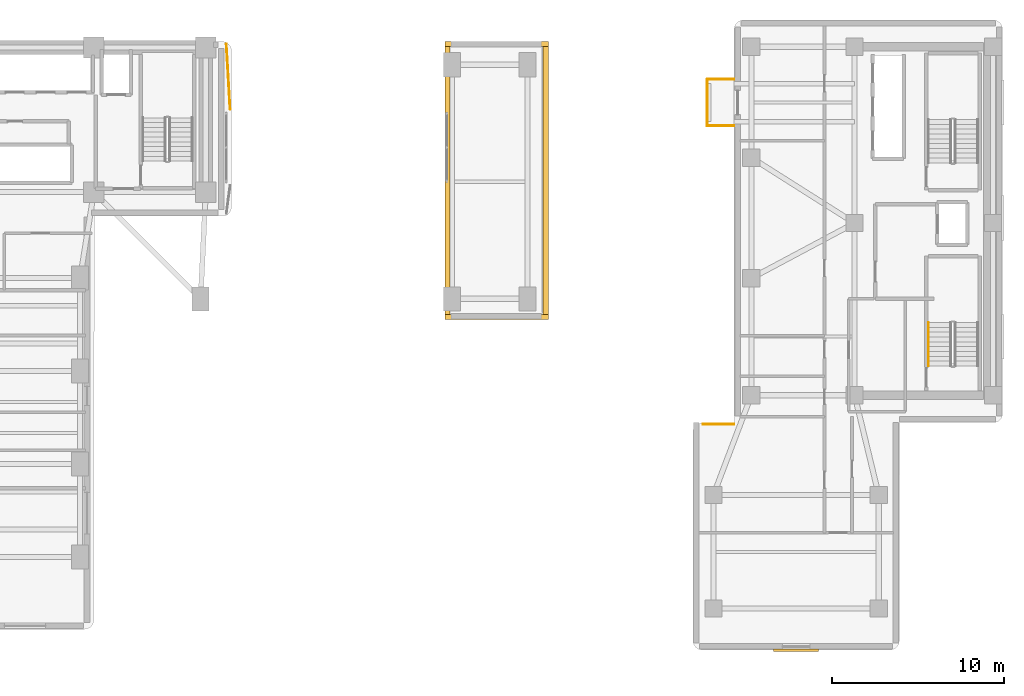
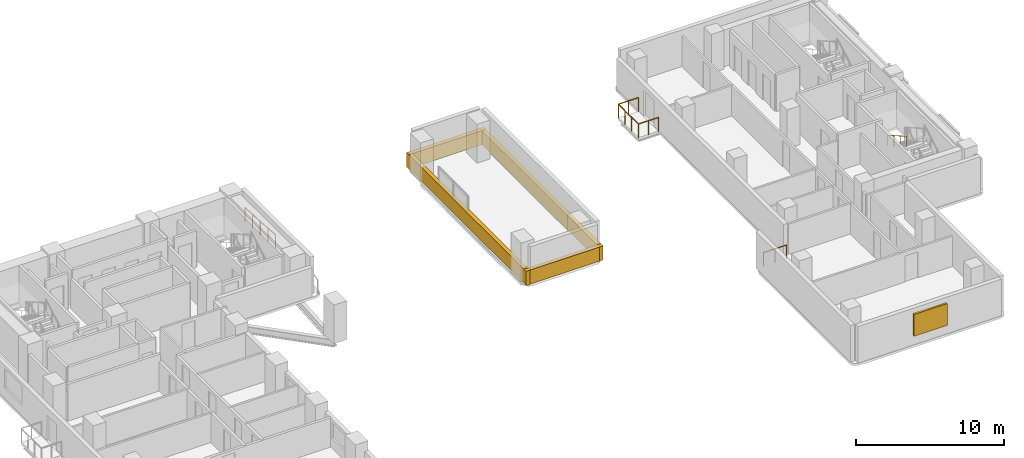
# One storey, part 11 of 12: 6 railings, 4 coverings, 1 shading device.
"""IFC4 building model written with IfcOpenShell, lengths in metres."""

from ifc_helpers import new_model, si_unit, direction, frame, origin, origin_2d, place, context, subcontext, project, spatial, rectangle, circle, extrude, material, layer, layer_set, type_object, element, save


model = new_model("IFC4")

# Units and contexts
model_context = context("Model", 3, precision=1e-05, world=origin(), true_north=direction((0.0, 1.0)))
body_context = subcontext(model_context, "Body", "Model", "MODEL_VIEW")
ifc_project = project(units=[si_unit("LENGTHUNIT", "METRE"), si_unit("AREAUNIT", "SQUARE_METRE"), si_unit("VOLUMEUNIT", "CUBIC_METRE"), si_unit("PLANEANGLEUNIT", "RADIAN"), si_unit("MASSUNIT", "GRAM", prefix="KILO")], contexts=[model_context])

# Site, building, storey
site_placement = place(None, origin())
site = spatial("IfcSite", under=ifc_project, at=site_placement, CompositionType="ELEMENT")
building_placement = place(site_placement, origin())
building = spatial("IfcBuilding", under=site, at=building_placement, Name="Kuzgunbayir Cultural Tower", CompositionType="ELEMENT")
storey_placement = place(building_placement, frame((0.0, 0.0, 30.199951171875)))
storey = spatial("IfcBuildingStorey", under=building, at=storey_placement, Name="L07", CompositionType="ELEMENT", Elevation=30.199951171875)

# Coverings
ifc_material_1 = material(Name="Anatolian Cream Limestone", Category="masonry")
ifc_layer_1 = layer(ifc_material_1, 0.06005859375)
ifc_layer_set_1 = layer_set([ifc_layer_1], Name="Anatolian Cream Limestone")
covering_type = type_object("IfcCoveringType", Name="COV-CLAD-LIMESTONE-6", PredefinedType="CLADDING", material=ifc_layer_set_1)
for number, where, z_axis, x_axis, name in (
    (1, (40.949951171875, 34.469970703125, -0.02001953125), (0.0, 0.0, 1.0), (1.0, 0.0, 0.0), "L07 Portal Cap West Coping Fascia"),
    (2, (46.64990234375, 34.469970703125, -0.02001953125), (0.0, 0.0, 1.0), (1.0, 0.0, 0.0), "L07 Portal Cap East Coping Fascia"),
):
    element("IfcCovering", number, at=place(storey_placement, frame(where, z_axis=z_axis, x_axis=x_axis)), inside=storey, type_object=covering_type, Name=name, PredefinedType="CLADDING", context=body_context, shape_type="SweptSolid", body=[
        extrude(rectangle(XDim=0.300048828125, YDim=16.14990234375, at=origin_2d()), origin(), (0.0, 0.0, 1.0), 1.159912109375),
    ])
for number, where, z_axis, x_axis, name in (
    (3, (43.800048828125, 26.550048828125, -0.02001953125), (0.0, 0.0, 1.0), (1.0, 0.0, 0.0), "L07 Portal Cap South Coping Fascia"),
    (4, (43.800048828125, 42.39990234375, -0.02001953125), (0.0, 0.0, 1.0), (1.0, 0.0, 0.0), "L07 Portal Cap North Coping Fascia"),
):
    element("IfcCovering", number, at=place(storey_placement, frame(where, z_axis=z_axis, x_axis=x_axis)), inside=storey, type_object=covering_type, Name=name, PredefinedType="CLADDING", context=body_context, shape_type="SweptSolid", body=[
        extrude(rectangle(XDim=6.0, YDim=0.300048828125, at=origin_2d()), origin(), (0.0, 0.0, 1.0), 1.159912109375),
    ])

# Railings
ifc_material_2 = material(Name="Laminated Glass and Stainless Steel", Category="steel")
ifc_layer_2 = layer(ifc_material_2, 0.080078125)
ifc_layer_set_2 = layer_set([ifc_layer_2], Name="Laminated Glass and Stainless Steel")
railing_type_1 = type_object("IfcRailingType", Name="RLG-BAL-115", PredefinedType="BALUSTRADE", material=ifc_layer_set_2)
railing_1_placement = place(storey_placement, frame((57.60009765625, 37.64990234375, 0.0)))
element("IfcRailing", 5, at=railing_1_placement, inside=storey, type_object=railing_type_1, Name="L07 Companion Balcony Guard BAL-L07-T2W3 Segment 1", PredefinedType="BALUSTRADE", context=body_context, shape_type="SweptSolid", body=[
    extrude(circle(Radius=0.02392578125, at=origin_2d()), frame((0.0, 0.0, 1.1259765625), z_axis=(-1.0, 0.0, 0.0), x_axis=(0.0, -1.0, 0.0)), (0.0, 0.0, 1.0), 1.56005859375),
    extrude(circle(Radius=0.02099609375, at=origin_2d()), origin(), (0.0, 0.0, 1.0), 1.101806640625),
    extrude(circle(Radius=0.02099609375, at=origin_2d()), frame((-0.780029296875, 0.0, 0.0)), (0.0, 0.0, 1.0), 1.101806640625),
    extrude(circle(Radius=0.02099609375, at=origin_2d()), frame((-1.56005859375, 0.0, 0.0)), (0.0, 0.0, 1.0), 1.101806640625),
])
railing_2_placement = place(storey_placement, frame((56.0400390625, 37.64990234375, 0.0)))
element("IfcRailing", 6, at=railing_2_placement, inside=storey, type_object=railing_type_1, Name="L07 Companion Balcony Guard BAL-L07-T2W3 Segment 2", PredefinedType="BALUSTRADE", context=body_context, shape_type="SweptSolid", body=[
    extrude(circle(Radius=0.02392578125, at=origin_2d()), frame((0.0, 0.0, 1.1259765625), z_axis=(0.0, 1.0, 0.0), x_axis=(-1.0, 0.0, 0.0)), (0.0, 0.0, 1.0), 2.7001953125),
    extrude(circle(Radius=0.02099609375, at=origin_2d()), origin(), (0.0, 0.0, 1.0), 1.101806640625),
    extrude(circle(Radius=0.02099609375, at=origin_2d()), frame((0.0, 0.900146484375, 0.0)), (0.0, 0.0, 1.0), 1.101806640625),
    extrude(circle(Radius=0.02099609375, at=origin_2d()), frame((0.0, 1.800048828125, 0.0)), (0.0, 0.0, 1.0), 1.101806640625),
    extrude(circle(Radius=0.02099609375, at=origin_2d()), frame((0.0, 2.7001953125, 0.0)), (0.0, 0.0, 1.0), 1.101806640625),
])
railing_3_placement = place(storey_placement, frame((56.0400390625, 40.35009765625, 0.0)))
element("IfcRailing", 7, at=railing_3_placement, inside=storey, type_object=railing_type_1, Name="L07 Companion Balcony Guard BAL-L07-T2W3 Segment 3", PredefinedType="BALUSTRADE", context=body_context, shape_type="SweptSolid", body=[
    extrude(circle(Radius=0.02392578125, at=origin_2d()), frame((0.0, 0.0, 1.1259765625), z_axis=(1.0, 0.0, 0.0), x_axis=(0.0, 1.0, 0.0)), (0.0, 0.0, 1.0), 1.56005859375),
    extrude(circle(Radius=0.02099609375, at=origin_2d()), origin(), (0.0, 0.0, 1.0), 1.101806640625),
    extrude(circle(Radius=0.02099609375, at=origin_2d()), frame((0.780029296875, 0.0, 0.0)), (0.0, 0.0, 1.0), 1.101806640625),
    extrude(circle(Radius=0.02099609375, at=origin_2d()), frame((1.56005859375, 0.0, 0.0)), (0.0, 0.0, 1.0), 1.101806640625),
])
railing_4_placement = place(storey_placement, frame((28.10009765625, 42.39990234375, 0.0)))
element("IfcRailing", 8, at=railing_4_placement, inside=storey, type_object=railing_type_1, Name="L07 Perimeter Edge Guard 1", PredefinedType="BALUSTRADE", context=body_context, shape_type="SweptSolid", body=[
    extrude(circle(Radius=0.02392578125, at=origin_2d()), frame((0.0, 0.0, 1.1259765625), z_axis=(0.058098313566, -0.998310866394, 0.0), x_axis=(0.998310866394, 0.058098313566, 0.0)), (0.0, 0.0, 1.0), 3.7861328125),
    extrude(circle(Radius=0.02099609375, at=origin_2d()), origin(), (0.0, 0.0, 1.0), 1.101806640625),
    extrude(circle(Radius=0.02099609375, at=origin_2d()), frame((0.054931640625, -0.94482421875, 0.0)), (0.0, 0.0, 1.0), 1.101806640625),
    extrude(circle(Radius=0.02099609375, at=origin_2d()), frame((0.10986328125, -1.889892578125, 0.0)), (0.0, 0.0, 1.0), 1.101806640625),
    extrude(circle(Radius=0.02099609375, at=origin_2d()), frame((0.1650390625, -2.8349609375, 0.0)), (0.0, 0.0, 1.0), 1.101806640625),
    extrude(circle(Radius=0.02099609375, at=origin_2d()), frame((0.219970703125, -3.77978515625, 0.0)), (0.0, 0.0, 1.0), 1.101806640625),
])
railing_5_placement = place(storey_placement, frame((55.7900390625, 20.320068359375, 0.0)))
element("IfcRailing", 9, at=railing_5_placement, inside=storey, type_object=railing_type_1, Name="L07 Perimeter Edge Guard 3", PredefinedType="BALUSTRADE", context=body_context, shape_type="SweptSolid", body=[
    extrude(circle(Radius=0.02392578125, at=origin_2d()), frame((0.0, 0.0, 1.1259765625), z_axis=(1.0, 0.0, 0.0), x_axis=(0.0, 1.0, 0.0)), (0.0, 0.0, 1.0), 1.81005859375),
    extrude(circle(Radius=0.02099609375, at=origin_2d()), origin(), (0.0, 0.0, 1.0), 1.101806640625),
    extrude(circle(Radius=0.02099609375, at=origin_2d()), frame((0.905029296875, 0.0, 0.0)), (0.0, 0.0, 1.0), 1.101806640625),
    extrude(circle(Radius=0.02099609375, at=origin_2d()), frame((1.81005859375, 0.0, 0.0)), (0.0, 0.0, 1.0), 1.101806640625),
])
ifc_material_3 = material(Name="Brushed Stainless Steel", Category="steel")
ifc_layer_3 = layer(ifc_material_3, 0.050048828125)
ifc_layer_set_3 = layer_set([ifc_layer_3], Name="Brushed Stainless Steel")
railing_type_2 = type_object("IfcRailingType", Name="RLG-STAIR-HANDRAIL", PredefinedType="HANDRAIL", material=ifc_layer_set_3)
railing_6_placement = place(storey_placement, frame((68.889892578125, 26.219970703125, 1.760009765625)))
element("IfcRailing", 10, at=railing_6_placement, inside=storey, type_object=railing_type_2, Name="L07 ST-3 stair handrail 2", PredefinedType="HANDRAIL", context=body_context, shape_type="SweptSolid", body=[
    extrude(circle(Radius=0.02392578125, at=origin_2d()), frame((0.0, 0.0, 0.8759765625), z_axis=(0.0, -0.868253494771, 0.496120820787), x_axis=(1.0, 0.0, 0.0)), (0.0, 0.0, 1.0), 2.90234375),
    extrude(circle(Radius=0.02099609375, at=origin_2d()), origin(), (0.0, 0.0, 1.0), 0.851806640625),
    extrude(circle(Radius=0.02099609375, at=origin_2d()), frame((0.0, -0.840087890625, 0.47998046875)), (0.0, 0.0, 1.0), 0.851806640625),
    extrude(circle(Radius=0.02099609375, at=origin_2d()), frame((0.0, -1.679931640625, 0.9599609375)), (0.0, 0.0, 1.0), 0.851806640625),
    extrude(circle(Radius=0.02099609375, at=origin_2d()), frame((0.0, -2.52001953125, 1.43994140625)), (0.0, 0.0, 1.0), 0.851806640625),
])

# Shading device
ifc_material_4 = material(Name="Warm Terracotta Ceramic Baguette", Category="masonry")
shading_device_type = type_object("IfcShadingDeviceType", Name="SHD-SOLAR-CERAMIC", PredefinedType="SHUTTER", material=ifc_material_4)
shading_device_placement = place(storey_placement, frame((61.199951171875, 7.179931640625, 0.7998046875), z_axis=(0.0, 0.0, 1.0), x_axis=(1.0, 0.0, 0.0)))
element("IfcShadingDevice", 11, at=shading_device_placement, inside=storey, type_object=shading_device_type, Name="L07 Companion Ceramic Solar Screen S1", PredefinedType="SHUTTER", context=body_context, shape_type="SweptSolid", body=[
    extrude(rectangle(XDim=2.60009765625, YDim=0.159912109375, at=origin_2d()), origin(), (0.0, 0.0, 1.0), 1.800048828125),
])

save(model, "model.ifc")
